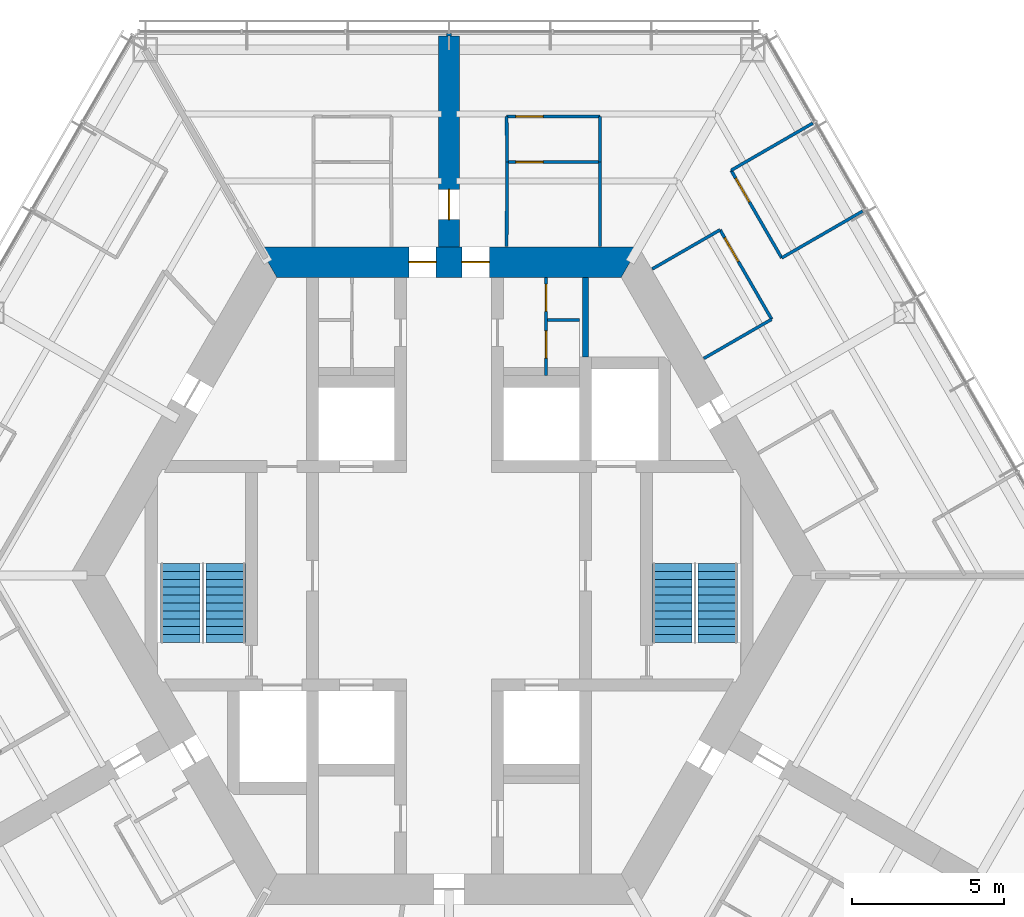
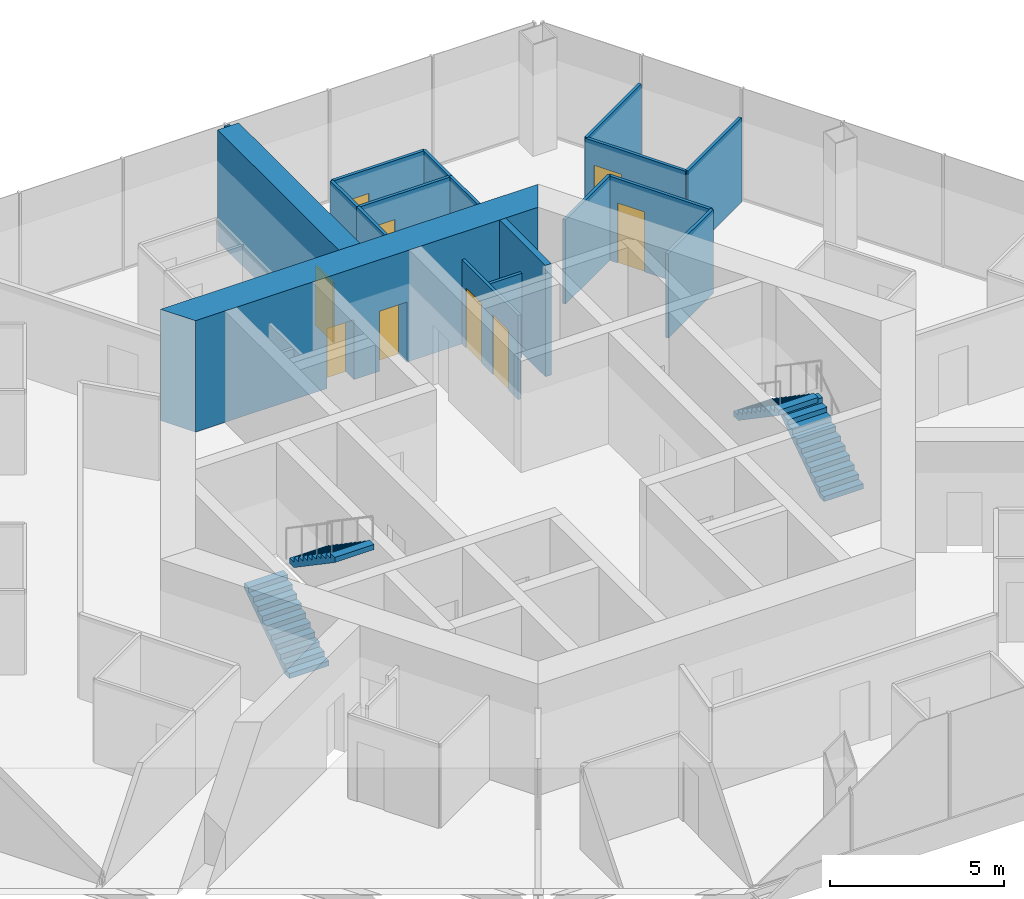
# One storey, part 16 of 19: 18 walls, 9 doors, 4 stair flights, 9 openings, 2 elements without a shape of their own.
"""IFC4 building model written with IfcOpenShell, lengths in metres."""

from ifc_helpers import new_model, si_unit, direction, frame, frame_2d, origin, place, context, subcontext, project, spatial, polyline, rectangle, outline, extrude, material, layer, layer_set, type_object, element, fill, aggregate, save


model = new_model("IFC4")

# Units and contexts
model_context = context("Model", 3, precision=1e-05, world=origin(), true_north=direction((0.0, 1.0)))
body_context = subcontext(model_context, "Body", "Model", "MODEL_VIEW")
ifc_project = project(units=[si_unit("LENGTHUNIT", "METRE"), si_unit("AREAUNIT", "SQUARE_METRE"), si_unit("VOLUMEUNIT", "CUBIC_METRE"), si_unit("PLANEANGLEUNIT", "RADIAN"), si_unit("MASSUNIT", "GRAM", prefix="KILO")], contexts=[model_context])

# Site, building, storey
site_placement = place(None, origin())
site = spatial("IfcSite", under=ifc_project, at=site_placement, CompositionType="ELEMENT")
building_placement = place(site_placement, origin())
building = spatial("IfcBuilding", under=site, at=building_placement, Name="Kasaneha Research Tower", CompositionType="ELEMENT")
storey_placement = place(building_placement, frame((0.0, 0.0, 160.39990234375)))
storey = spatial("IfcBuildingStorey", under=building, at=storey_placement, Name="L40", CompositionType="ELEMENT", Elevation=160.39990234375)

# Wall, openings, doors
ifc_material_1 = material(Name="Concrete Fc70", Category="concrete")
ifc_layer_1 = layer(ifc_material_1, 1.0)
ifc_layer_set_1 = layer_set([ifc_layer_1], Name="Core wall 1000 Fc70")
wall_type_1 = type_object("IfcWallType", Name="Core wall 1000 Fc70", PredefinedType="SHEAR", material=ifc_layer_set_1)
wall_1_placement = place(storey_placement, frame((5.961181640625, 10.324951171875, 0.0), z_axis=(0.0, 0.0, 1.0), x_axis=(-1.0, 0.0, 0.0)))
wall_1 = element("IfcWall", 1, at=wall_1_placement, inside=storey, type_object=wall_type_1, Name="Core wall 090 L40", PredefinedType="SHEAR", context=body_context, shape_type="SweptSolid", body=[
    extrude(outline(polyline([(-0.28857421875, -0.5), (4.63623046875, -0.5), (5.5361328125, -0.5), (6.38623046875, -0.5), (7.2861328125, -0.5), (12.2109375, -0.5), (11.6337890625, 0.5), (7.2861328125, 0.5), (6.38623046875, 0.5), (5.5361328125, 0.5), (4.63623046875, 0.5), (0.28857421875, 0.5), (-0.28857421875, -0.5)])), origin(), (0.0, 0.0, 1.0), 3.900146484375),
])
opening_1_placement = place(wall_1_placement, frame((6.38623046875, 0.0, 0.0)))
opening_1 = element("IfcOpeningElement", 2, at=opening_1_placement, cuts=wall_1, Name="Opening L40-D01", PredefinedType="OPENING", context=body_context, shape_type="SweptSolid", body=[
    extrude(rectangle(XDim=0.89990234375, YDim=2.10009765625, at=frame_2d((0.449951171875, 1.050048828125))), frame((0.0, 0.510009765625, 0.0), z_axis=(0.0, -1.0, 0.0), x_axis=(1.0, 0.0, 0.0)), (0.0, 0.0, 1.0), 1.02001953125),
])
opening_2_placement = place(wall_1_placement, frame((4.63623046875, 0.0, 0.0)))
opening_2 = element("IfcOpeningElement", 3, at=opening_2_placement, cuts=wall_1, Name="Opening L40-D02", PredefinedType="OPENING", context=body_context, shape_type="SweptSolid", body=[
    extrude(rectangle(XDim=0.89990234375, YDim=2.10009765625, at=frame_2d((0.449951171875, 1.050048828125))), frame((0.0, 0.510009765625, 0.0), z_axis=(0.0, -1.0, 0.0), x_axis=(1.0, 0.0, 0.0)), (0.0, 0.0, 1.0), 1.02001953125),
])
ifc_material_2 = material(Name="Steel", Category="steel")
door_type_1 = type_object("IfcDoorType", Name="Toilet door FD20 900x2100", OperationType="NOTDEFINED", PredefinedType="DOOR", material=ifc_material_2)
door_1_placement = place(opening_1_placement, origin())
door_1 = element("IfcDoor", 4, at=door_1_placement, inside=storey, type_object=door_type_1, Name="Core door north 1 L40-D01", OperationType="SINGLE_SWING_RIGHT", OverallHeight=2.10009765625, OverallWidth=0.89990234375, PredefinedType="DOOR", context=body_context, shape_type="SweptSolid", body=[
    extrude(rectangle(XDim=0.89990234375, YDim=2.10009765625, at=frame_2d((0.449951171875, 1.050048828125))), frame((0.0, 0.02490234375, 0.0), z_axis=(0.0, -1.0, 0.0), x_axis=(1.0, 0.0, 0.0)), (0.0, 0.0, 1.0), 0.050048828125),
])
fill(opening_1, door_1)
door_2_placement = place(opening_2_placement, origin())
door_2 = element("IfcDoor", 5, at=door_2_placement, inside=storey, type_object=door_type_1, Name="Core door north 2 L40-D02", OperationType="SINGLE_SWING_LEFT", OverallHeight=2.10009765625, OverallWidth=0.89990234375, PredefinedType="DOOR", context=body_context, shape_type="SweptSolid", body=[
    extrude(rectangle(XDim=0.89990234375, YDim=2.10009765625, at=frame_2d((0.449951171875, 1.050048828125))), frame((0.0, 0.02490234375, 0.0), z_axis=(0.0, -1.0, 0.0), x_axis=(1.0, 0.0, 0.0)), (0.0, 0.0, 1.0), 0.050048828125),
])
fill(opening_2, door_2)

ifc_material_3 = material(Name="Gypsum board on steel studs, one layer each side", Category="steel")
ifc_layer_2 = layer(ifc_material_3, 0.10009765625)
ifc_layer_set_2 = layer_set([ifc_layer_2], Name="Office partition 100")
wall_type_2 = type_object("IfcWallType", Name="Office partition 100", PredefinedType="PARTITIONING", material=ifc_layer_set_2)
wall_2_placement = place(storey_placement, frame((3.199951171875, 6.60009765625, 0.0), z_axis=(0.0, 0.0, 1.0), x_axis=(0.0, 1.0, 0.0)))
wall_2 = element("IfcWall", 6, at=wall_2_placement, inside=storey, type_object=wall_type_2, Name="Office partition TBF1 L40", PredefinedType="PARTITIONING", context=body_context, shape_type="SweptSolid", body=[
    extrude(rectangle(XDim=3.224853515625, YDim=0.10009765625, at=frame_2d((1.6123046875, 0.0))), origin(), (0.0, 0.0, 1.0), 2.9501953125),
])
opening_3_placement = place(wall_2_placement, frame((0.5625, 0.0, 0.0)))
opening_3 = element("IfcOpeningElement", 7, at=opening_3_placement, cuts=wall_2, Name="Opening L40-D22", PredefinedType="OPENING", context=body_context, shape_type="SweptSolid", body=[
    extrude(rectangle(XDim=0.89990234375, YDim=2.10009765625, at=frame_2d((0.449951171875, 1.050048828125))), frame((0.0, 0.06005859375, 0.0), z_axis=(0.0, -1.0, 0.0), x_axis=(1.0, 0.0, 0.0)), (0.0, 0.0, 1.0), 0.1201171875),
])
opening_4_placement = place(wall_2_placement, frame((2.10009765625, 0.0, 0.0)))
opening_4 = element("IfcOpeningElement", 8, at=opening_4_placement, cuts=wall_2, Name="Opening L40-D23", PredefinedType="OPENING", context=body_context, shape_type="SweptSolid", body=[
    extrude(rectangle(XDim=0.89990234375, YDim=2.10009765625, at=frame_2d((0.449951171875, 1.050048828125))), frame((0.0, 0.06005859375, 0.0), z_axis=(0.0, -1.0, 0.0), x_axis=(1.0, 0.0, 0.0)), (0.0, 0.0, 1.0), 0.1201171875),
])
ifc_material_4 = material(Name="Steel", Category="steel")
door_type_2 = type_object("IfcDoorType", Name="Toilet lobby door FD30 900x2100", OperationType="NOTDEFINED", PredefinedType="DOOR", material=ifc_material_4)
door_3_placement = place(opening_3_placement, origin())
door_3 = element("IfcDoor", 9, at=door_3_placement, inside=storey, type_object=door_type_2, Name="Women's WC door L40-D22", OperationType="SINGLE_SWING_RIGHT", OverallHeight=2.10009765625, OverallWidth=0.89990234375, PredefinedType="DOOR", context=body_context, shape_type="SweptSolid", body=[
    extrude(rectangle(XDim=0.89990234375, YDim=2.10009765625, at=frame_2d((0.449951171875, 1.050048828125))), frame((0.0, 0.02490234375, 0.0), z_axis=(0.0, -1.0, 0.0), x_axis=(1.0, 0.0, 0.0)), (0.0, 0.0, 1.0), 0.050048828125),
])
fill(opening_3, door_3)
door_4_placement = place(opening_4_placement, origin())
door_4 = element("IfcDoor", 10, at=door_4_placement, inside=storey, type_object=door_type_2, Name="Parents' room door L40-D23", OperationType="SINGLE_SWING_RIGHT", OverallHeight=2.10009765625, OverallWidth=0.89990234375, PredefinedType="DOOR", context=body_context, shape_type="SweptSolid", body=[
    extrude(rectangle(XDim=0.89990234375, YDim=2.10009765625, at=frame_2d((0.449951171875, 1.050048828125))), frame((0.0, 0.02490234375, 0.0), z_axis=(0.0, -1.0, 0.0), x_axis=(1.0, 0.0, 0.0)), (0.0, 0.0, 1.0), 0.050048828125),
])
fill(opening_4, door_4)

# Wall
wall_3_placement = place(storey_placement, frame((3.25, 8.425048828125, 0.0), z_axis=(0.0, 0.0, 1.0), x_axis=(1.0, 0.0, 0.0)))
element("IfcWall", 11, at=wall_3_placement, inside=storey, type_object=wall_type_2, Name="Office partition TBF2 L40", PredefinedType="PARTITIONING", context=body_context, shape_type="SweptSolid", body=[
    extrude(rectangle(XDim=1.050048828125, YDim=0.10009765625, at=frame_2d((0.52490234375, 0.0))), origin(), (0.0, 0.0, 1.0), 2.9501953125),
])

# Wall, opening, door
wall_4_placement = place(storey_placement, frame((1.89990234375, 13.6201171875, 0.0), z_axis=(0.0, 0.0, 1.0), x_axis=(1.0, 0.0, 0.0)))
wall_4 = element("IfcWall", 12, at=wall_4_placement, inside=storey, type_object=wall_type_2, Name="Office partition FAE01 L40", PredefinedType="PARTITIONING", context=body_context, shape_type="SweptSolid", body=[
    extrude(rectangle(XDim=3.071044921875, YDim=0.10009765625, at=frame_2d((1.53564453125, 0.0))), origin(), (0.0, 0.0, 1.0), 2.9501953125),
])
opening_5_placement = place(wall_4_placement, frame((0.300048828125, 0.0, 0.0)))
opening_5 = element("IfcOpeningElement", 13, at=opening_5_placement, cuts=wall_4, Name="Opening L40-D27", PredefinedType="OPENING", context=body_context, shape_type="SweptSolid", body=[
    extrude(rectangle(XDim=0.89990234375, YDim=2.10009765625, at=frame_2d((0.449951171875, 1.050048828125))), frame((0.0, 0.06005859375, 0.0), z_axis=(0.0, -1.0, 0.0), x_axis=(1.0, 0.0, 0.0)), (0.0, 0.0, 1.0), 0.1201171875),
])
door_5_placement = place(opening_5_placement, origin())
door_5 = element("IfcDoor", 14, at=door_5_placement, inside=storey, type_object=door_type_2, Name="Women's WC door L40-D27", OperationType="SINGLE_SWING_LEFT", OverallHeight=2.10009765625, OverallWidth=0.89990234375, PredefinedType="DOOR", context=body_context, shape_type="SweptSolid", body=[
    extrude(rectangle(XDim=0.89990234375, YDim=2.10009765625, at=frame_2d((0.449951171875, 1.050048828125))), frame((0.0, 0.02490234375, 0.0), z_axis=(0.0, -1.0, 0.0), x_axis=(1.0, 0.0, 0.0)), (0.0, 0.0, 1.0), 0.050048828125),
])
fill(opening_5, door_5)

# Walls
for number, where, z_axis, x_axis, name in (
    (15, (1.89990234375, 10.844970703125, 0.0), (0.0, 0.0, 1.0), (0.001668567099, 0.999998607941, 0.0), "Office partition FAE02 L40"),
    (16, (4.96630859375, 13.625, 0.0), (0.0, 0.0, 1.0), (0.001668567099, -0.999998607941, 0.0), "Office partition FAE03 L40"),
):
    element("IfcWall", number, at=place(storey_placement, frame(where, z_axis=z_axis, x_axis=x_axis)), inside=storey, type_object=wall_type_2, Name=name, PredefinedType="PARTITIONING", context=body_context, shape_type="SweptSolid", body=[
        extrude(rectangle(XDim=2.780029296875, YDim=0.10009765625, at=frame_2d((1.39013671875, 0.0))), origin(), (0.0, 0.0, 1.0), 2.9501953125),
    ])

# Wall, opening, door
wall_5_placement = place(storey_placement, frame((1.89990234375, 15.125, 0.0), z_axis=(0.0, 0.0, 1.0), x_axis=(1.0, 0.0, 0.0)))
wall_5 = element("IfcWall", 17, at=wall_5_placement, inside=storey, type_object=wall_type_2, Name="Office partition FAE04 L40", PredefinedType="PARTITIONING", context=body_context, shape_type="SweptSolid", body=[
    extrude(rectangle(XDim=3.071044921875, YDim=0.10009765625, at=frame_2d((1.53564453125, 0.0))), origin(), (0.0, 0.0, 1.0), 2.9501953125),
])
opening_6_placement = place(wall_5_placement, frame((0.300048828125, 0.0, 0.0)))
opening_6 = element("IfcOpeningElement", 18, at=opening_6_placement, cuts=wall_5, Name="Opening L40-D28", PredefinedType="OPENING", context=body_context, shape_type="SweptSolid", body=[
    extrude(rectangle(XDim=0.89990234375, YDim=2.10009765625, at=frame_2d((0.449951171875, 1.050048828125))), frame((0.0, 0.06005859375, 0.0), z_axis=(0.0, -1.0, 0.0), x_axis=(1.0, 0.0, 0.0)), (0.0, 0.0, 1.0), 0.1201171875),
])
door_6_placement = place(opening_6_placement, origin())
door_6 = element("IfcDoor", 19, at=door_6_placement, inside=storey, type_object=door_type_2, Name="Toilet lobby door L40-D28", OperationType="SINGLE_SWING_LEFT", OverallHeight=2.10009765625, OverallWidth=0.89990234375, PredefinedType="DOOR", context=body_context, shape_type="SweptSolid", body=[
    extrude(rectangle(XDim=0.89990234375, YDim=2.10009765625, at=frame_2d((0.449951171875, 1.050048828125))), frame((0.0, 0.02490234375, 0.0), z_axis=(0.0, -1.0, 0.0), x_axis=(1.0, 0.0, 0.0)), (0.0, 0.0, 1.0), 0.050048828125),
])
fill(opening_6, door_6)

# Walls
for number, where, z_axis, x_axis, name in (
    (20, (1.904541015625, 13.625, 0.0), (0.0, 0.0, 1.0), (-0.00309243313, 0.999995218417, 0.0), "Office partition FAE05 L40"),
    (21, (4.970947265625, 15.125, 0.0), (0.0, 0.0, 1.0), (-0.00309243313, -0.999995218417, 0.0), "Office partition FAE06 L40"),
):
    element("IfcWall", number, at=place(storey_placement, frame(where, z_axis=z_axis, x_axis=x_axis)), inside=storey, type_object=wall_type_2, Name=name, PredefinedType="PARTITIONING", context=body_context, shape_type="SweptSolid", body=[
        extrude(rectangle(XDim=1.5, YDim=0.10009765625, at=frame_2d((0.75, 0.0))), origin(), (0.0, 0.0, 1.0), 2.9501953125),
    ])
wall_6_placement = place(storey_placement, frame((9.29052734375, 13.34912109375, 0.0), z_axis=(0.0, 0.0, 1.0), x_axis=(0.866042875753, 0.499969736442, 0.0)))
element("IfcWall", 22, at=wall_6_placement, inside=storey, type_object=wall_type_2, Name="Office partition FAE10 L40", PredefinedType="PARTITIONING", context=body_context, shape_type="SweptSolid", body=[
    extrude(rectangle(XDim=3.105224609375, YDim=0.10009765625, at=frame_2d((1.552734375, 0.0))), origin(), (0.0, 0.0, 1.0), 2.9501953125),
])

# Wall, opening, door
wall_7_placement = place(storey_placement, frame((10.9560546875, 10.464599609375, 0.0), z_axis=(0.0, 0.0, 1.0), x_axis=(-0.500033344505, 0.86600615147, 0.0)))
wall_7 = element("IfcWall", 23, at=wall_7_placement, inside=storey, type_object=wall_type_2, Name="Office partition FAE11 L40", PredefinedType="PARTITIONING", context=body_context, shape_type="SweptSolid", body=[
    extrude(rectangle(XDim=3.330810546875, YDim=0.10009765625, at=frame_2d((1.66552734375, 0.0))), origin(), (0.0, 0.0, 1.0), 2.9501953125),
])
opening_7_placement = place(wall_7_placement, frame((2.131103515625, 0.0, 0.0)))
opening_7 = element("IfcOpeningElement", 24, at=opening_7_placement, cuts=wall_7, Name="Opening L40-D30", PredefinedType="OPENING", context=body_context, shape_type="SweptSolid", body=[
    extrude(rectangle(XDim=0.89990234375, YDim=2.10009765625, at=frame_2d((0.449951171875, 1.050048828125))), frame((0.0, 0.06005859375, 0.0), z_axis=(0.0, -1.0, 0.0), x_axis=(1.0, 0.0, 0.0)), (0.0, 0.0, 1.0), 0.1201171875),
])
ifc_material_5 = material(Name="Timber veneer", Category="wood")
door_type_3 = type_object("IfcDoorType", Name="Office door 900x2100", OperationType="SINGLE_SWING_LEFT", PredefinedType="DOOR", material=ifc_material_5)
door_7_placement = place(opening_7_placement, origin())
door_7 = element("IfcDoor", 25, at=door_7_placement, inside=storey, type_object=door_type_3, Name="Manager's office door L40-D30", OperationType="SINGLE_SWING_RIGHT", OverallHeight=2.10009765625, OverallWidth=0.89990234375, PredefinedType="DOOR", context=body_context, shape_type="SweptSolid", body=[
    extrude(rectangle(XDim=0.89990234375, YDim=2.10009765625, at=frame_2d((0.449951171875, 1.050048828125))), frame((0.0, 0.02490234375, 0.0), z_axis=(0.0, -1.0, 0.0), x_axis=(1.0, 0.0, 0.0)), (0.0, 0.0, 1.0), 0.050048828125),
])
fill(opening_7, door_7)

# Walls
wall_8_placement = place(storey_placement, frame((13.623291015625, 12.00439453125, 0.0), z_axis=(0.0, 0.0, 1.0), x_axis=(-0.866044340336, -0.499967199496, 0.0)))
element("IfcWall", 26, at=wall_8_placement, inside=storey, type_object=wall_type_2, Name="Office partition FAE12 L40", PredefinedType="PARTITIONING", context=body_context, shape_type="SweptSolid", body=[
    extrude(rectangle(XDim=3.079833984375, YDim=0.10009765625, at=frame_2d((1.5400390625, 0.0))), origin(), (0.0, 0.0, 1.0), 2.9501953125),
])
wall_9_placement = place(storey_placement, frame((6.69189453125, 10.09912109375, 0.0), z_axis=(0.0, 0.0, 1.0), x_axis=(0.866086324858, 0.499894466757, 0.0)))
element("IfcWall", 27, at=wall_9_placement, inside=storey, type_object=wall_type_2, Name="Office partition FAE13 L40", PredefinedType="PARTITIONING", context=body_context, shape_type="SweptSolid", body=[
    extrude(rectangle(XDim=2.580078125, YDim=0.10009765625, at=frame_2d((1.2900390625, 0.0))), origin(), (0.0, 0.0, 1.0), 2.9501953125),
])

# Wall, opening, door
wall_10_placement = place(storey_placement, frame((8.926513671875, 11.388916015625, 0.0), z_axis=(0.0, 0.0, 1.0), x_axis=(0.500008388397, -0.866020560687, 0.0)))
wall_10 = element("IfcWall", 28, at=wall_10_placement, inside=storey, type_object=wall_type_2, Name="Office partition FAE14 L40", PredefinedType="PARTITIONING", context=body_context, shape_type="SweptSolid", body=[
    extrude(rectangle(XDim=3.39990234375, YDim=0.10009765625, at=frame_2d((1.699951171875, 0.0))), origin(), (0.0, 0.0, 1.0), 2.9501953125),
])
opening_8_placement = place(wall_10_placement, frame((0.300048828125, 0.0, 0.0)))
opening_8 = element("IfcOpeningElement", 29, at=opening_8_placement, cuts=wall_10, Name="Opening L40-D31", PredefinedType="OPENING", context=body_context, shape_type="SweptSolid", body=[
    extrude(rectangle(XDim=0.89990234375, YDim=2.10009765625, at=frame_2d((0.449951171875, 1.050048828125))), frame((0.0, 0.06005859375, 0.0), z_axis=(0.0, -1.0, 0.0), x_axis=(1.0, 0.0, 0.0)), (0.0, 0.0, 1.0), 0.1201171875),
])
door_8_placement = place(opening_8_placement, origin())
door_8 = element("IfcDoor", 30, at=door_8_placement, inside=storey, type_object=door_type_3, Name="Mail room door L40-D31", OperationType="SINGLE_SWING_LEFT", OverallHeight=2.10009765625, OverallWidth=0.89990234375, PredefinedType="DOOR", context=body_context, shape_type="SweptSolid", body=[
    extrude(rectangle(XDim=0.89990234375, YDim=2.10009765625, at=frame_2d((0.449951171875, 1.050048828125))), frame((0.0, 0.02490234375, 0.0), z_axis=(0.0, -1.0, 0.0), x_axis=(1.0, 0.0, 0.0)), (0.0, 0.0, 1.0), 0.050048828125),
])
fill(opening_8, door_8)

# Walls
wall_11_placement = place(storey_placement, frame((10.62646484375, 8.444580078125, 0.0), z_axis=(0.0, 0.0, 1.0), x_axis=(-0.866021702275, -0.500006411147, 0.0)))
element("IfcWall", 31, at=wall_11_placement, inside=storey, type_object=wall_type_2, Name="Office partition FAE15 L40", PredefinedType="PARTITIONING", context=body_context, shape_type="SweptSolid", body=[
    extrude(rectangle(XDim=2.580078125, YDim=0.10009765625, at=frame_2d((1.2900390625, 0.0))), origin(), (0.0, 0.0, 1.0), 2.9501953125),
])
ifc_material_6 = material(Name="Concrete block", Category="concrete")
ifc_layer_3 = layer(ifc_material_6, 0.199951171875)
ifc_layer_set_3 = layer_set([ifc_layer_3], Name="Riser enclosure wall 200")
wall_type_3 = type_object("IfcWallType", Name="Riser enclosure wall 200", PredefinedType="STANDARD", material=ifc_layer_set_3)
wall_12_placement = place(storey_placement, frame((4.5, 7.199951171875, 0.0), z_axis=(0.0, 0.0, 1.0), x_axis=(0.0, 1.0, 0.0)))
element("IfcWall", 32, at=wall_12_placement, inside=storey, type_object=wall_type_3, Name="Riser enclosure wall L40", PredefinedType="STANDARD", context=body_context, shape_type="SweptSolid", body=[
    extrude(rectangle(XDim=2.625, YDim=0.199951171875, at=frame_2d((1.3125, 0.0))), origin(), (0.0, 0.0, 1.0), 3.900146484375),
])

# Wall, opening, door
ifc_material_7 = material(Name="Concrete Fc70", Category="concrete")
ifc_layer_4 = layer(ifc_material_7, 0.699951171875)
ifc_layer_set_4 = layer_set([ifc_layer_4], Name="Spine wall 700 Fc70")
wall_type_4 = type_object("IfcWallType", Name="Spine wall 700 Fc70", PredefinedType="SHEAR", material=ifc_layer_set_4)
wall_13_placement = place(storey_placement, frame((0.0, 10.824951171875, 0.0), z_axis=(0.0, 0.0, 1.0), x_axis=(0.0, 1.0, 0.0)))
wall_13 = element("IfcWall", 33, at=wall_13_placement, inside=storey, type_object=wall_type_4, Name="Spine wall A L40", PredefinedType="SHEAR", context=body_context, shape_type="SweptSolid", body=[
    extrude(rectangle(XDim=6.945556640625, YDim=0.699951171875, at=frame_2d((3.47265625, 0.0))), origin(), (0.0, 0.0, 1.0), 3.900146484375),
])
opening_9_placement = place(wall_13_placement, frame((0.89990234375, 0.0, 0.0)))
opening_9 = element("IfcOpeningElement", 34, at=opening_9_placement, cuts=wall_13, Name="Opening L40-D17", PredefinedType="OPENING", context=body_context, shape_type="SweptSolid", body=[
    extrude(rectangle(XDim=1.0, YDim=2.10009765625, at=frame_2d((0.5, 1.050048828125))), frame((0.0, 0.35986328125, 0.0), z_axis=(0.0, -1.0, 0.0), x_axis=(1.0, 0.0, 0.0)), (0.0, 0.0, 1.0), 0.719970703125),
])
ifc_material_8 = material(Name="Steel", Category="steel")
door_type_4 = type_object("IfcDoorType", Name="Specified fire door FD60 1000x2100", OperationType="NOTDEFINED", PredefinedType="DOOR", material=ifc_material_8)
door_9_placement = place(opening_9_placement, origin())
door_9 = element("IfcDoor", 35, at=door_9_placement, inside=storey, type_object=door_type_4, Name="Spine doorway A L40-D17", OperationType="SINGLE_SWING_LEFT", OverallHeight=2.10009765625, OverallWidth=1.0, PredefinedType="DOOR", context=body_context, shape_type="SweptSolid", body=[
    extrude(rectangle(XDim=1.0, YDim=2.10009765625, at=frame_2d((0.5, 1.050048828125))), frame((0.0, 0.02490234375, 0.0), z_axis=(0.0, -1.0, 0.0), x_axis=(1.0, 0.0, 0.0)), (0.0, 0.0, 1.0), 0.050048828125),
])
fill(opening_9, door_9)

# Wall
ifc_material_9 = material(Name="Gypsum board on steel studs, two layers each side", Category="steel")
ifc_layer_5 = layer(ifc_material_9, 0.175048828125)
ifc_layer_set_5 = layer_set([ifc_layer_5], Name="Tenancy fire partition 175")
wall_type_5 = type_object("IfcWallType", Name="Tenancy fire partition 175", PredefinedType="PARTITIONING", material=ifc_layer_set_5)
wall_14_placement = place(storey_placement, frame((0.0, 17.7705078125, 0.0), z_axis=(0.0, 0.0, 1.0), x_axis=(0.0, 1.0, 0.0)))
element("IfcWall", 36, at=wall_14_placement, inside=storey, type_object=wall_type_5, Name="Spine wall closer SW3-700 L40", PredefinedType="PARTITIONING", context=body_context, shape_type="SweptSolid", body=[
    extrude(rectangle(XDim=0.080078125, YDim=0.175048828125, at=frame_2d((0.0400390625, 0.0))), origin(), (0.0, 0.0, 1.0), 3.900146484375),
])

# Stair, stair flights
ifc_material_10 = material(Name="Concrete Fc24", Category="concrete")
stair_type = type_object("IfcStairType", Name="Half-turn stair 22 risers", PredefinedType="HALF_TURN_STAIR", material=ifc_material_10)
stair_1_placement = place(storey_placement, origin())
stair_1 = element("IfcStair", 37, at=stair_1_placement, inside=storey, type_object=stair_type, Name="Stair 1 L40", PredefinedType="HALF_TURN_STAIR")
ifc_material_11 = material(Name="Concrete Fc24", Category="concrete")
stair_flight_type = type_object("IfcStairFlightType", Name="Stair flight 11 risers 177.3", PredefinedType="STRAIGHT", material=ifc_material_11)
stair_flight_1_placement = place(storey_placement, frame((8.85009765625, -2.199951171875, 0.0), z_axis=(0.0, 0.0, 1.0), x_axis=(0.0, 1.0, 0.0)))
stair_flight_1 = element("IfcStairFlight", 38, at=stair_flight_1_placement, type_object=stair_flight_type, Name="ST1-22R flight 1", NumberOfRisers=11, NumberOfTreads=10, PredefinedType="STRAIGHT", RiserHeight=0.177272727, TreadLength=0.26, context=body_context, shape_type="SweptSolid", body=[
    extrude(outline(polyline([(0.0, 0.0), (0.0, 0.17724609375), (0.260009765625, 0.17724609375), (0.260009765625, 0.3544921875), (0.52001953125, 0.3544921875), (0.52001953125, 0.53173828125), (0.780029296875, 0.53173828125), (0.780029296875, 0.708984375), (1.0400390625, 0.708984375), (1.0400390625, 0.886474609375), (1.300048828125, 0.886474609375), (1.300048828125, 1.063720703125), (1.56005859375, 1.063720703125), (1.56005859375, 1.240966796875), (1.820068359375, 1.240966796875), (1.820068359375, 1.418212890625), (2.080078125, 1.418212890625), (2.080078125, 1.595458984375), (2.340087890625, 1.595458984375), (2.340087890625, 1.772705078125), (2.60009765625, 1.772705078125), (2.60009765625, 1.949951171875), (2.60009765625, 1.59130859375), (0.26611328125, 0.0), (0.0, 0.0)])), frame((0.0, 0.64990234375, 0.0), z_axis=(0.0, -1.0, 0.0), x_axis=(1.0, 0.0, 0.0)), (0.0, 0.0, 1.0), 1.300048828125),
])
stair_flight_2_placement = place(storey_placement, frame((7.35009765625, 0.39990234375, 1.9501953125), z_axis=(0.0, 0.0, 1.0), x_axis=(0.0, -1.0, 0.0)))
stair_flight_2 = element("IfcStairFlight", 39, at=stair_flight_2_placement, type_object=stair_flight_type, Name="ST1-22R flight 2", NumberOfRisers=11, NumberOfTreads=10, PredefinedType="STRAIGHT", RiserHeight=0.177272727, TreadLength=0.26, context=body_context, shape_type="SweptSolid", body=[
    extrude(outline(polyline([(0.0, 0.0), (0.0, 0.17724609375), (0.260009765625, 0.17724609375), (0.260009765625, 0.3544921875), (0.52001953125, 0.3544921875), (0.52001953125, 0.53173828125), (0.780029296875, 0.53173828125), (0.780029296875, 0.708984375), (1.0400390625, 0.708984375), (1.0400390625, 0.886474609375), (1.300048828125, 0.886474609375), (1.300048828125, 1.063720703125), (1.56005859375, 1.063720703125), (1.56005859375, 1.240966796875), (1.820068359375, 1.240966796875), (1.820068359375, 1.418212890625), (2.080078125, 1.418212890625), (2.080078125, 1.595458984375), (2.340087890625, 1.595458984375), (2.340087890625, 1.772705078125), (2.60009765625, 1.772705078125), (2.60009765625, 1.949951171875), (2.60009765625, 1.59130859375), (0.26611328125, 0.0), (0.0, 0.0)])), frame((0.0, 0.64990234375, 0.0), z_axis=(0.0, -1.0, 0.0), x_axis=(1.0, 0.0, 0.0)), (0.0, 0.0, 1.0), 1.300048828125),
])
aggregate(stair_1, [stair_flight_1, stair_flight_2])

stair_2_placement = place(storey_placement, origin())
stair_2 = element("IfcStair", 40, at=stair_2_placement, inside=storey, type_object=stair_type, Name="Stair 2 L40", PredefinedType="HALF_TURN_STAIR")
stair_flight_3_placement = place(storey_placement, frame((-8.85009765625, -2.199951171875, 0.0), z_axis=(0.0, 0.0, 1.0), x_axis=(0.0, 1.0, 0.0)))
stair_flight_3 = element("IfcStairFlight", 41, at=stair_flight_3_placement, type_object=stair_flight_type, Name="ST2-22R flight 1", NumberOfRisers=11, NumberOfTreads=10, PredefinedType="STRAIGHT", RiserHeight=0.177272727, TreadLength=0.26, context=body_context, shape_type="SweptSolid", body=[
    extrude(outline(polyline([(0.0, 0.0), (0.0, 0.17724609375), (0.260009765625, 0.17724609375), (0.260009765625, 0.3544921875), (0.52001953125, 0.3544921875), (0.52001953125, 0.53173828125), (0.780029296875, 0.53173828125), (0.780029296875, 0.708984375), (1.0400390625, 0.708984375), (1.0400390625, 0.886474609375), (1.300048828125, 0.886474609375), (1.300048828125, 1.063720703125), (1.56005859375, 1.063720703125), (1.56005859375, 1.240966796875), (1.820068359375, 1.240966796875), (1.820068359375, 1.418212890625), (2.080078125, 1.418212890625), (2.080078125, 1.595458984375), (2.340087890625, 1.595458984375), (2.340087890625, 1.772705078125), (2.60009765625, 1.772705078125), (2.60009765625, 1.949951171875), (2.60009765625, 1.59130859375), (0.26611328125, 0.0), (0.0, 0.0)])), frame((0.0, 0.64990234375, 0.0), z_axis=(0.0, -1.0, 0.0), x_axis=(1.0, 0.0, 0.0)), (0.0, 0.0, 1.0), 1.300048828125),
])
stair_flight_4_placement = place(storey_placement, frame((-7.35009765625, 0.39990234375, 1.9501953125), z_axis=(0.0, 0.0, 1.0), x_axis=(0.0, -1.0, 0.0)))
stair_flight_4 = element("IfcStairFlight", 42, at=stair_flight_4_placement, type_object=stair_flight_type, Name="ST2-22R flight 2", NumberOfRisers=11, NumberOfTreads=10, PredefinedType="STRAIGHT", RiserHeight=0.177272727, TreadLength=0.26, context=body_context, shape_type="SweptSolid", body=[
    extrude(outline(polyline([(0.0, 0.0), (0.0, 0.17724609375), (0.260009765625, 0.17724609375), (0.260009765625, 0.3544921875), (0.52001953125, 0.3544921875), (0.52001953125, 0.53173828125), (0.780029296875, 0.53173828125), (0.780029296875, 0.708984375), (1.0400390625, 0.708984375), (1.0400390625, 0.886474609375), (1.300048828125, 0.886474609375), (1.300048828125, 1.063720703125), (1.56005859375, 1.063720703125), (1.56005859375, 1.240966796875), (1.820068359375, 1.240966796875), (1.820068359375, 1.418212890625), (2.080078125, 1.418212890625), (2.080078125, 1.595458984375), (2.340087890625, 1.595458984375), (2.340087890625, 1.772705078125), (2.60009765625, 1.772705078125), (2.60009765625, 1.949951171875), (2.60009765625, 1.59130859375), (0.26611328125, 0.0), (0.0, 0.0)])), frame((0.0, 0.64990234375, 0.0), z_axis=(0.0, -1.0, 0.0), x_axis=(1.0, 0.0, 0.0)), (0.0, 0.0, 1.0), 1.300048828125),
])
aggregate(stair_2, [stair_flight_3, stair_flight_4])

save(model, "model.ifc")
